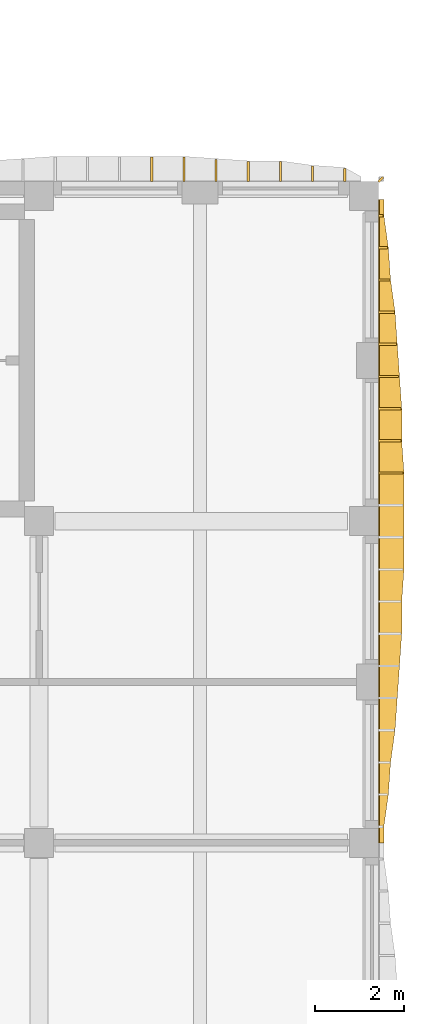
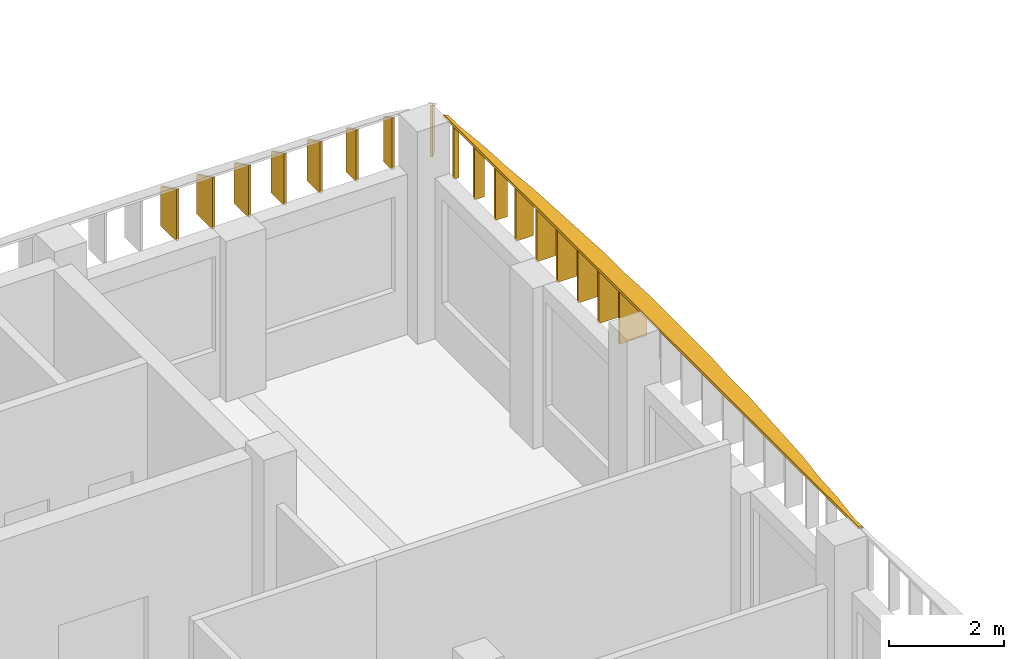
# One storey, part 27 of 30: 18 shading devices.
"""IFC4 building model written with IfcOpenShell, lengths in metres."""

from ifc_helpers import new_model, si_unit, direction, frame, origin, place, context, subcontext, project, spatial, polyline, outline, extrude, material, layer, layer_set, type_object, element, save


model = new_model("IFC4")

# Units and contexts
model_context = context("Model", 3, precision=1e-05, world=origin(), true_north=direction((0.0, 1.0)))
body_context = subcontext(model_context, "Body", "Model", "MODEL_VIEW")
ifc_project = project(units=[si_unit("LENGTHUNIT", "METRE"), si_unit("AREAUNIT", "SQUARE_METRE"), si_unit("VOLUMEUNIT", "CUBIC_METRE"), si_unit("PLANEANGLEUNIT", "RADIAN"), si_unit("MASSUNIT", "GRAM", prefix="KILO")], contexts=[model_context])

# Site, building, storey
site_placement = place(None, origin())
site = spatial("IfcSite", under=ifc_project, at=site_placement, CompositionType="ELEMENT")
building_placement = place(site_placement, origin())
building = spatial("IfcBuilding", under=site, at=building_placement, Name="Ussher Court Research Institute", CompositionType="ELEMENT")
storey_placement = place(building_placement, frame((0.0, 0.0, 27.89990234375)))
storey = spatial("IfcBuildingStorey", under=building, at=storey_placement, Name="L06", CompositionType="ELEMENT", Elevation=27.89990234375)

# Shading devices
ifc_material_1 = material(Name="Bronze anodised aluminium", Category="aluminium")
ifc_layer_1 = layer(ifc_material_1, 0.050048828125)
ifc_layer_set_1 = layer_set([ifc_layer_1], Name="Bronze anodised aluminium")
shading_device_type_1 = type_object("IfcShadingDeviceType", Name="Brim blade 100 mm deep 1100 mm high canted 26 deg wet", PredefinedType="USERDEFINED", material=ifc_layer_set_1)
shading_device_1_placement = place(storey_placement, frame((104.199951171875, 32.43994140625, 3.35009765625), z_axis=(0.0, 0.0, 1.0), x_axis=(1.0, 0.0, 0.0)))
element("IfcShadingDevice", 1, at=shading_device_1_placement, inside=storey, type_object=shading_device_type_1, Name="Brim blade BS10 L06", ObjectType="BLADE", PredefinedType="USERDEFINED", context=body_context, shape_type="SweptSolid", body=[
    extrude(outline(polyline([(0.0, 0.0), (0.10009765625, 0.0), (0.10009765625, 1.05126953125), (0.0, 1.10009765625), (0.0, 0.0)])), frame((0.0, 0.02490234375, 0.0), z_axis=(0.0, -1.0, 0.0), x_axis=(1.0, 0.0, 0.0)), (0.0, 0.0, 1.0), 0.050048828125),
])
ifc_material_2 = material(Name="Bronze anodised aluminium", Category="aluminium")
ifc_layer_2 = layer(ifc_material_2, 0.050048828125)
ifc_layer_set_2 = layer_set([ifc_layer_2], Name="Bronze anodised aluminium")
shading_device_type_2 = type_object("IfcShadingDeviceType", Name="Brim blade 200 mm deep 1100 mm high canted 26 deg wet", PredefinedType="USERDEFINED", material=ifc_layer_set_2)
shading_device_2_placement = place(storey_placement, frame((104.199951171875, 31.719970703125, 3.35009765625), z_axis=(0.0, 0.0, 1.0), x_axis=(1.0, 0.0, 0.0)))
element("IfcShadingDevice", 2, at=shading_device_2_placement, inside=storey, type_object=shading_device_type_2, Name="Brim blade BS08 L06", ObjectType="BLADE", PredefinedType="USERDEFINED", context=body_context, shape_type="SweptSolid", body=[
    extrude(outline(polyline([(0.0, 0.0), (0.199951171875, 0.0), (0.199951171875, 1.00244140625), (0.0, 1.10009765625), (0.0, 0.0)])), frame((0.0, 0.02490234375, 0.0), z_axis=(0.0, -1.0, 0.0), x_axis=(1.0, 0.0, 0.0)), (0.0, 0.0, 1.0), 0.050048828125),
])
ifc_material_3 = material(Name="Bronze anodised aluminium", Category="aluminium")
ifc_layer_3 = layer(ifc_material_3, 0.050048828125)
ifc_layer_set_3 = layer_set([ifc_layer_3], Name="Bronze anodised aluminium")
shading_device_type_3 = type_object("IfcShadingDeviceType", Name="Brim blade 250 mm deep 1100 mm high canted 26 deg wet", PredefinedType="USERDEFINED", material=ifc_layer_set_3)
shading_device_3_placement = place(storey_placement, frame((104.199951171875, 31.0, 3.35009765625), z_axis=(0.0, 0.0, 1.0), x_axis=(1.0, 0.0, 0.0)))
element("IfcShadingDevice", 3, at=shading_device_3_placement, inside=storey, type_object=shading_device_type_3, Name="Brim blade BS07 L06", ObjectType="BLADE", PredefinedType="USERDEFINED", context=body_context, shape_type="SweptSolid", body=[
    extrude(outline(polyline([(0.0, 0.0), (0.25, 0.0), (0.25, 0.97802734375), (0.0, 1.10009765625), (0.0, 0.0)])), frame((0.0, 0.02490234375, 0.0), z_axis=(0.0, -1.0, 0.0), x_axis=(1.0, 0.0, 0.0)), (0.0, 0.0, 1.0), 0.050048828125),
])
ifc_material_4 = material(Name="Bronze anodised aluminium", Category="aluminium")
ifc_layer_4 = layer(ifc_material_4, 0.050048828125)
ifc_layer_set_4 = layer_set([ifc_layer_4], Name="Bronze anodised aluminium")
shading_device_type_4 = type_object("IfcShadingDeviceType", Name="Brim blade 300 mm deep 1100 mm high canted 26 deg wet", PredefinedType="USERDEFINED", material=ifc_layer_set_4)
shading_device_4_placement = place(storey_placement, frame((103.43994140625, 33.199951171875, 3.35009765625), z_axis=(0.0, 0.0, 1.0), x_axis=(0.0, 1.0, 0.0)))
element("IfcShadingDevice", 4, at=shading_device_4_placement, inside=storey, type_object=shading_device_type_4, Name="Brim blade BS06 L06", ObjectType="BLADE", PredefinedType="USERDEFINED", context=body_context, shape_type="SweptSolid", body=[
    extrude(outline(polyline([(0.0, 0.0), (0.300048828125, 0.0), (0.300048828125, 0.95361328125), (0.0, 1.10009765625), (0.0, 0.0)])), frame((0.0, 0.02490234375, 0.0), z_axis=(0.0, -1.0, 0.0), x_axis=(1.0, 0.0, 0.0)), (0.0, 0.0, 1.0), 0.050048828125),
])
ifc_material_5 = material(Name="Bronze anodised aluminium", Category="aluminium")
ifc_layer_5 = layer(ifc_material_5, 0.050048828125)
ifc_layer_set_5 = layer_set([ifc_layer_5], Name="Bronze anodised aluminium")
shading_device_type_5 = type_object("IfcShadingDeviceType", Name="Brim blade 350 mm deep 1100 mm high canted 26 deg wet", PredefinedType="USERDEFINED", material=ifc_layer_set_5)
for number, where, z_axis, x_axis, name in (
    (5, (104.199951171875, 30.280029296875, 3.35009765625), (0.0, 0.0, 1.0), (1.0, 0.0, 0.0), "Brim blade BS05 L06"),
    (6, (102.719970703125, 33.199951171875, 3.35009765625), (0.0, 0.0, 1.0), (0.0, 1.0, 0.0), "Brim blade BS05 L06"),
):
    element("IfcShadingDevice", number, at=place(storey_placement, frame(where, z_axis=z_axis, x_axis=x_axis)), inside=storey, type_object=shading_device_type_5, Name=name, ObjectType="BLADE", PredefinedType="USERDEFINED", context=body_context, shape_type="SweptSolid", body=[
        extrude(outline(polyline([(0.0, 0.0), (0.35009765625, 0.0), (0.35009765625, 0.92919921875), (0.0, 1.10009765625), (0.0, 0.0)])), frame((0.0, 0.02490234375, 0.0), z_axis=(0.0, -1.0, 0.0), x_axis=(1.0, 0.0, 0.0)), (0.0, 0.0, 1.0), 0.050048828125),
    ])
ifc_material_6 = material(Name="Bronze anodised aluminium", Category="aluminium")
ifc_layer_6 = layer(ifc_material_6, 0.050048828125)
ifc_layer_set_6 = layer_set([ifc_layer_6], Name="Bronze anodised aluminium")
shading_device_type_6 = type_object("IfcShadingDeviceType", Name="Brim blade 400 mm deep 1100 mm high canted 26 deg wet", PredefinedType="USERDEFINED", material=ifc_layer_set_6)
shading_device_5_placement = place(storey_placement, frame((104.199951171875, 29.56005859375, 3.35009765625), z_axis=(0.0, 0.0, 1.0), x_axis=(1.0, 0.0, 0.0)))
element("IfcShadingDevice", 7, at=shading_device_5_placement, inside=storey, type_object=shading_device_type_6, Name="Brim blade BS04 L06", ObjectType="BLADE", PredefinedType="USERDEFINED", context=body_context, shape_type="SweptSolid", body=[
    extrude(outline(polyline([(0.0, 0.0), (0.400146484375, 0.0), (0.39990234375, 0.90478515625), (0.0, 1.10009765625), (0.0, 0.0)])), frame((0.0, 0.02490234375, 0.0), z_axis=(0.0, -1.0, 0.0), x_axis=(1.0, 0.0, 0.0)), (0.0, 0.0, 1.0), 0.050048828125),
])
ifc_material_7 = material(Name="Bronze anodised aluminium", Category="aluminium")
ifc_layer_7 = layer(ifc_material_7, 0.050048828125)
ifc_layer_set_7 = layer_set([ifc_layer_7], Name="Bronze anodised aluminium")
shading_device_type_7 = type_object("IfcShadingDeviceType", Name="Brim blade 450 mm deep 1100 mm high canted 26 deg wet", PredefinedType="USERDEFINED", material=ifc_layer_set_7)
for number, where, z_axis, x_axis, name in (
    (8, (104.199951171875, 28.840087890625, 3.35009765625), (0.0, 0.0, 1.0), (1.0, 0.0, 0.0), "Brim blade BS03 L06"),
    (9, (101.280029296875, 33.199951171875, 3.35009765625), (0.0, 0.0, 1.0), (0.0, 1.0, 0.0), "Brim blade BS03 L06"),
    (10, (102.0, 33.199951171875, 3.35009765625), (0.0, 0.0, 1.0), (0.0, 1.0, 0.0), "Brim blade BS03 L06"),
):
    element("IfcShadingDevice", number, at=place(storey_placement, frame(where, z_axis=z_axis, x_axis=x_axis)), inside=storey, type_object=shading_device_type_7, Name=name, ObjectType="BLADE", PredefinedType="USERDEFINED", context=body_context, shape_type="SweptSolid", body=[
        extrude(outline(polyline([(0.0, 0.0), (0.449951171875, 0.0), (0.449951171875, 0.880615234375), (0.0, 1.10009765625), (0.0, 0.0)])), frame((0.0, 0.02490234375, 0.0), z_axis=(0.0, -1.0, 0.0), x_axis=(1.0, 0.0, 0.0)), (0.0, 0.0, 1.0), 0.050048828125),
    ])
ifc_material_8 = material(Name="Bronze anodised aluminium", Category="aluminium")
ifc_layer_8 = layer(ifc_material_8, 0.050048828125)
ifc_layer_set_8 = layer_set([ifc_layer_8], Name="Bronze anodised aluminium")
shading_device_type_8 = type_object("IfcShadingDeviceType", Name="Brim blade 500 mm deep 1100 mm high canted 26 deg wet", PredefinedType="USERDEFINED", material=ifc_layer_set_8)
for number, where, z_axis, x_axis, name in (
    (11, (104.199951171875, 28.1201171875, 3.35009765625), (0.0, 0.0, 1.0), (1.0, 0.0, 0.0), "Brim blade BS02 L06"),
    (12, (104.199951171875, 27.39990234375, 3.35009765625), (0.0, 0.0, 1.0), (1.0, 0.0, 0.0), "Brim blade BS02 L06"),
    (13, (100.56005859375, 33.199951171875, 3.35009765625), (0.0, 0.0, 1.0), (0.0, 1.0, 0.0), "Brim blade BS02 L06"),
):
    element("IfcShadingDevice", number, at=place(storey_placement, frame(where, z_axis=z_axis, x_axis=x_axis)), inside=storey, type_object=shading_device_type_8, Name=name, ObjectType="BLADE", PredefinedType="USERDEFINED", context=body_context, shape_type="SweptSolid", body=[
        extrude(outline(polyline([(0.0, 0.0), (0.5, 0.0), (0.5, 0.856201171875), (0.0, 1.10009765625), (0.0, 0.0)])), frame((0.0, 0.02490234375, 0.0), z_axis=(0.0, -1.0, 0.0), x_axis=(1.0, 0.0, 0.0)), (0.0, 0.0, 1.0), 0.050048828125),
    ])
ifc_material_9 = material(Name="Bronze anodised aluminium", Category="aluminium")
ifc_layer_9 = layer(ifc_material_9, 0.050048828125)
ifc_layer_set_9 = layer_set([ifc_layer_9], Name="Bronze anodised aluminium")
shading_device_type_9 = type_object("IfcShadingDeviceType", Name="Brim blade 550 mm deep 1100 mm high canted 26 deg wet", PredefinedType="USERDEFINED", material=ifc_layer_set_9)
for number, where, z_axis, x_axis, name in (
    (14, (104.199951171875, 26.679931640625, 3.35009765625), (0.0, 0.0, 1.0), (1.0, 0.0, 0.0), "Brim blade BS01 L06"),
    (15, (99.1201171875, 33.199951171875, 3.35009765625), (0.0, 0.0, 1.0), (0.0, 1.0, 0.0), "Brim blade BS01 L06"),
    (16, (99.840087890625, 33.199951171875, 3.35009765625), (0.0, 0.0, 1.0), (0.0, 1.0, 0.0), "Brim blade BS01 L06"),
):
    element("IfcShadingDevice", number, at=place(storey_placement, frame(where, z_axis=z_axis, x_axis=x_axis)), inside=storey, type_object=shading_device_type_9, Name=name, ObjectType="BLADE", PredefinedType="USERDEFINED", context=body_context, shape_type="SweptSolid", body=[
        extrude(outline(polyline([(0.0, 0.0), (0.550048828125, 0.0), (0.550048828125, 0.831787109375), (0.0, 1.10009765625), (0.0, 0.0)])), frame((0.0, 0.02490234375, 0.0), z_axis=(0.0, -1.0, 0.0), x_axis=(1.0, 0.0, 0.0)), (0.0, 0.0, 1.0), 0.050048828125),
    ])
ifc_material_10 = material(Name="Bronze anodised aluminium", Category="aluminium")
ifc_layer_10 = layer(ifc_material_10, 0.050048828125)
ifc_layer_set_10 = layer_set([ifc_layer_10], Name="Bronze anodised aluminium")
shading_device_type_10 = type_object("IfcShadingDeviceType", Name="Brim mitre blade 100 mm deep 1100 mm high canted 26 deg wet", PredefinedType="USERDEFINED", material=ifc_layer_set_10)
shading_device_6_placement = place(storey_placement, frame((104.199951171875, 33.199951171875, 3.35009765625), z_axis=(0.0, 0.0, 1.0), x_axis=(0.707106781187, 0.707106781187, 0.0)))
element("IfcShadingDevice", 17, at=shading_device_6_placement, inside=storey, type_object=shading_device_type_10, Name="Brim mitre blade BS18 L06", ObjectType="BLADE", PredefinedType="USERDEFINED", context=body_context, shape_type="SweptSolid", body=[
    extrude(outline(polyline([(0.0, 0.0), (0.1416015625, 0.0), (0.141357421875, 1.00244140625), (0.0, 1.10009765625), (0.0, 0.0)])), frame((0.0, 0.02490234375, 0.0), z_axis=(0.0, -1.0, 0.0), x_axis=(1.0, 0.0, 0.0)), (0.0, 0.0, 1.0), 0.050048828125),
])
ifc_material_11 = material(Name="Bronze anodised aluminium", Category="aluminium")
ifc_layer_11 = layer(ifc_material_11, 0.0400390625)
ifc_layer_set_11 = layer_set([ifc_layer_11], Name="Bronze anodised aluminium")
shading_device_type_11 = type_object("IfcShadingDeviceType", Name="Brim visor sheet 40 mm canted 26 deg wet", PredefinedType="USERDEFINED", material=ifc_layer_set_11)
shading_device_7_placement = place(storey_placement, frame((104.217529296875, 32.800048828125, 4.486083984375), z_axis=(0.438529184396, 0.0, 0.898716949007), x_axis=(0.0, -1.0, 0.0)))
element("IfcShadingDevice", 18, at=shading_device_7_placement, inside=storey, type_object=shading_device_type_11, Name="Brim visor sheet BR1 L06", ObjectType="BRIM", PredefinedType="USERDEFINED", context=body_context, shape_type="SweptSolid", body=[
    extrude(outline(polyline([(0.0, 0.0), (14.400146484375, 0.0), (14.400146484375, 0.11115260474198813), (14.0400390625, 0.11115260474198813), (13.320068359375, 0.22252462280160495), (12.60009765625, 0.27821063183141337), (11.880126953125, 0.3893632365734015), (11.16015625, 0.4449421828140506), (10.43994140625, 0.5006281918438591), (9.719970703125, 0.5563142008736675), (9.0, 0.5563142008736675), (8.280029296875, 0.6120002099034759), (7.56005859375, 0.6120002099034759), (6.840087890625, 0.6120002099034759), (6.1201171875, 0.6120002099034759), (5.400146484375, 0.5563142008736675), (4.679931640625, 0.5563142008736675), (3.9599609375, 0.5006281918438591), (3.239990234375, 0.4449421828140506), (2.52001953125, 0.3893632365734015), (1.800048828125, 0.27821063183141337), (1.080078125, 0.22252462280160495), (0.360107421875, 0.11115260474198813), (0.0, 0.11115260474198813), (0.0, 0.0)])), origin(), (0.0, 0.0, -1.0), 0.0400390625),
])

save(model, "model.ifc")
